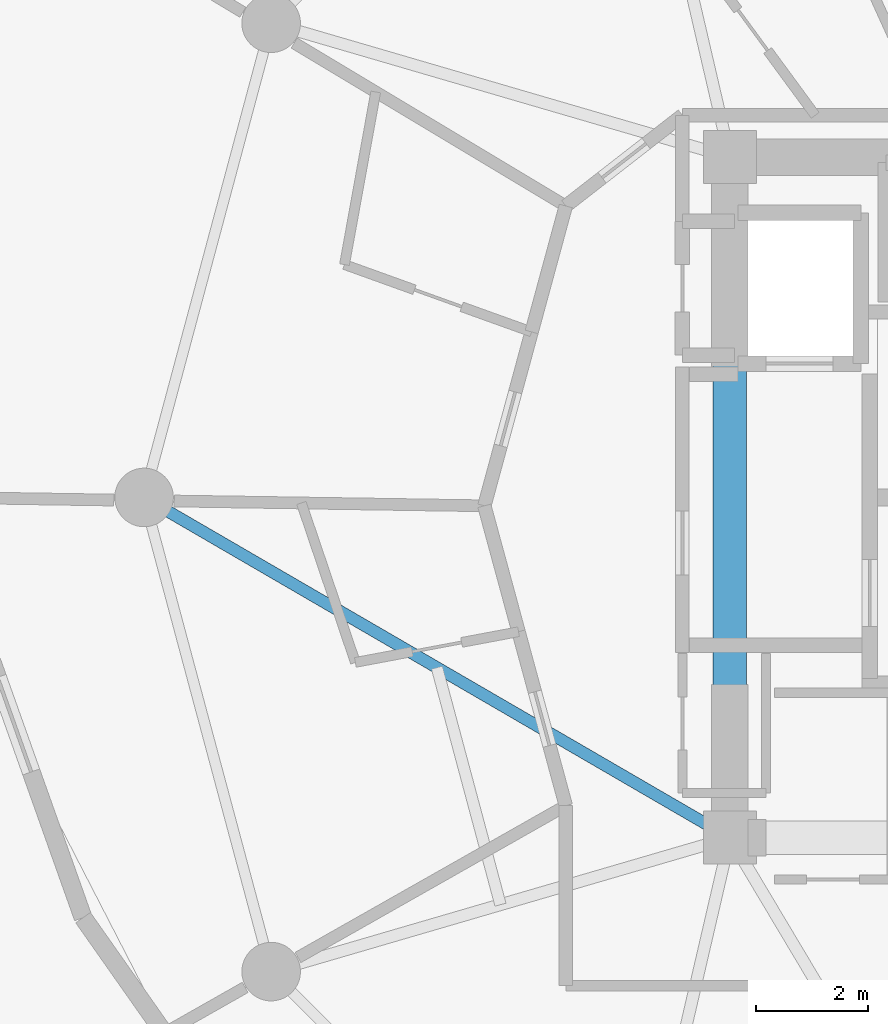
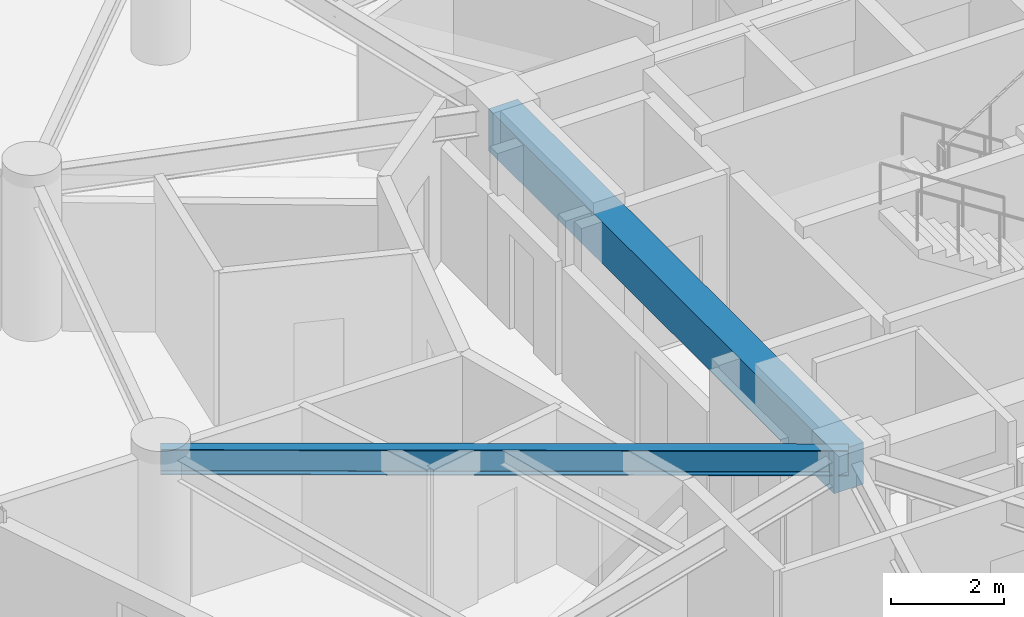
# One storey, part 5 of 22: 2 beams.
"""IFC4 building model written with IfcOpenShell, lengths in metres."""

from ifc_helpers import new_model, si_unit, direction, frame, origin, origin_2d, place, context, subcontext, project, spatial, rectangle, i_section, extrude, material, material_profile, profile_set, type_object, element, save


model = new_model("IFC4")

# Units and contexts
model_context = context("Model", 3, precision=1e-05, world=origin(), true_north=direction((0.0, 1.0)))
body_context = subcontext(model_context, "Body", "Model", "MODEL_VIEW")
ifc_project = project(units=[si_unit("LENGTHUNIT", "METRE"), si_unit("AREAUNIT", "SQUARE_METRE"), si_unit("VOLUMEUNIT", "CUBIC_METRE"), si_unit("PLANEANGLEUNIT", "RADIAN"), si_unit("MASSUNIT", "GRAM", prefix="KILO")], contexts=[model_context])

# Site, building, storey
site_placement = place(None, origin())
site = spatial("IfcSite", under=ifc_project, at=site_placement, CompositionType="ELEMENT")
building_placement = place(site_placement, origin())
building = spatial("IfcBuilding", under=site, at=building_placement, Name="Solvirekh Grand Hotel", CompositionType="ELEMENT")
storey_placement = place(building_placement, frame((0.0, 0.0, 153.0)))
storey = spatial("IfcBuildingStorey", under=building, at=storey_placement, Name="L39", CompositionType="ELEMENT", Elevation=153.0)

# Beams
ifc_material_1 = material(Name="Concrete C50/60", Category="concrete")
ifc_material_profile_1 = material_profile(ifc_material_1, rectangle(XDim=0.60009765625, YDim=0.89990234375, at=origin_2d()), Name="RC BEAM 600X900")
ifc_profile_set_1 = profile_set([ifc_material_profile_1], Name="Concrete C50/60")
beam_type_1 = type_object("IfcBeamType", Name="Beam_Core_RC900", PredefinedType="BEAM", material=ifc_profile_set_1)
beam_1_placement = place(storey_placement, frame((-6.5, 6.10009765625, 2.89990234375), z_axis=(0.0, -1.0, 0.0), x_axis=(1.0, 0.0, 0.0)))
element("IfcBeam", 1, at=beam_1_placement, inside=storey, type_object=beam_type_1, Name="L39 core coupling ring beam 4", PredefinedType="BEAM", context=body_context, shape_type="SweptSolid", body=[
    extrude(rectangle(XDim=0.60009765625, YDim=0.89990234375, at=origin_2d()), origin(), (0.0, 0.0, 1.0), 12.2001953125),
])
ifc_material_2 = material(Name="Steel S355", Category="steel")
ifc_material_profile_2 = material_profile(ifc_material_2, i_section(OverallWidth=0.2119140625, OverallDepth=0.5439453125, WebThickness=0.011962890625, FlangeThickness=0.01904296875, FilletRadius=0.013916015625, at=origin_2d()), Name="W530X123")
ifc_profile_set_2 = profile_set([ifc_material_profile_2], Name="Steel S355")
beam_type_2 = type_object("IfcBeamType", Name="Beam_Radial_W530H", PredefinedType="BEAM", material=ifc_profile_set_2)
beam_2_placement = place(storey_placement, frame((-6.5, -6.10009765625, 3.077880859375), z_axis=(-0.864670076815, 0.50234018181, 0.0), x_axis=(-0.50234018181, -0.864670076815, 0.0)))
element("IfcBeam", 2, at=beam_2_placement, inside=storey, type_object=beam_type_2, Name="L39 radial floor beam R07", PredefinedType="BEAM", context=body_context, shape_type="SweptSolid", body=[
    extrude(i_section(OverallWidth=0.2119140625, OverallDepth=0.5439453125, WebThickness=0.011962890625, FlangeThickness=0.01904296875, FilletRadius=0.013916015625, at=origin_2d()), origin(), (0.0, 0.0, 1.0), 12.143310546875),
])

save(model, "model.ifc")
